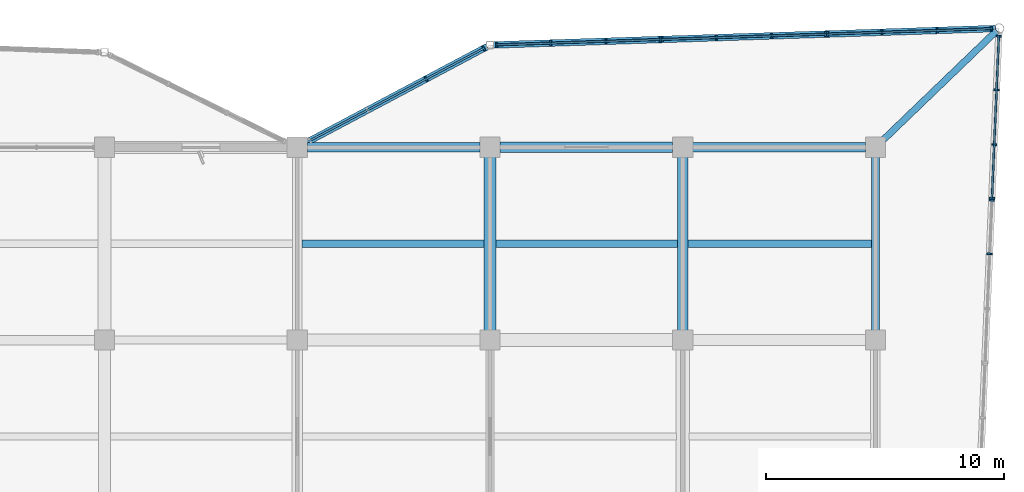
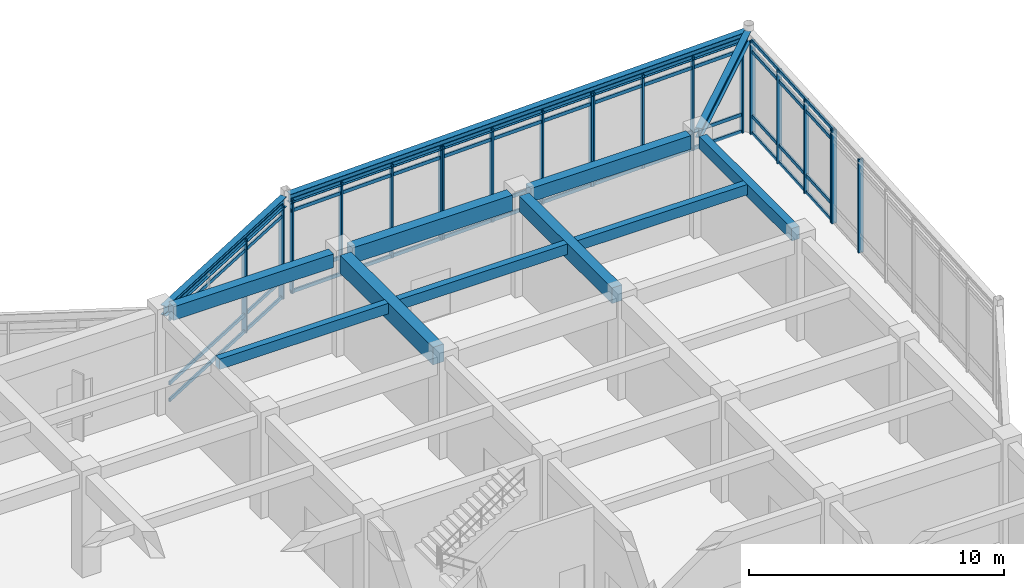
# One storey, part 48 of 99: 40 members, 12 beams, 6 elements without a shape of their own.
"""IFC4 building model written with IfcOpenShell, lengths in metres."""

import ifcopenshell
import ifcopenshell.guid

model = None  # the IFC model being written
_history = None  # IfcOwnerHistory: only IFC2X3 demands one
_inside = {}  # id of a spatial element -> (the spatial element, [elements in it])
_under = {}  # id of a project, library or spatial element -> (it, [spatial elements below it])
_declared = {}  # id of a project -> (the project, [libraries it declares])
_typed = {}  # id of a type object -> (the type object, [elements of that type])
_made_of = {}  # id of a material, layer set ... -> (it, [elements and type objects made of it])


def new_model(schema):
    """Start an empty IFC model of exactly this schema.

    Asked for "IFC4X3", IfcOpenShell would pick the latest addendum, in which some entities
    have other attributes; the version numbers below select the first issue.
    IFC2X3 requires an IfcOwnerHistory on every rooted entity: one is made here for all.
    """
    global model, _history
    if schema == "IFC4X3":
        model = ifcopenshell.file(schema_version=(4, 3, 0, 0))
    else:
        model = ifcopenshell.file(schema=schema)
    _inside.clear()
    _under.clear()
    _declared.clear()
    _typed.clear()
    _made_of.clear()
    _history = None
    if model.schema == "IFC2X3":
        org = make("IfcOrganization", Name="unknown")
        user = make(
            "IfcPersonAndOrganization",
            ThePerson=make("IfcPerson", FamilyName="unknown"),
            TheOrganization=org,
        )
        app = make(
            "IfcApplication",
            ApplicationDeveloper=org,
            Version="unknown",
            ApplicationFullName="unknown",
            ApplicationIdentifier="unknown",
        )
        _history = make(
            "IfcOwnerHistory",
            OwningUser=user,
            OwningApplication=app,
            ChangeAction="ADDED",
            CreationDate=0,
        )
    return model


def make(cls, **values):
    """One entity of the class cls with the attributes given. An attribute that is None is left unset."""
    return model.create_entity(
        cls, **{name: value for name, value in values.items() if value is not None}
    )


def rooted(cls, **values):
    """An entity with a GlobalId (a new one), such as an element, a storey or a relation."""
    return make(cls, GlobalId=ifcopenshell.guid.new(), OwnerHistory=_history, **values)


def si_unit(unit_type, name, prefix=None):
    """IfcSIUnit, for example si_unit("LENGTHUNIT", "METRE", prefix="MILLI")."""
    return make("IfcSIUnit", UnitType=unit_type, Prefix=prefix, Name=name)


def assignment(units):
    """IfcUnitAssignment: the units of a project."""
    return None if units is None else make("IfcUnitAssignment", Units=units)


def point(xyz):
    """IfcCartesianPoint."""
    return None if xyz is None else make("IfcCartesianPoint", Coordinates=xyz)


def direction(xyz):
    """IfcDirection."""
    return None if xyz is None else make("IfcDirection", DirectionRatios=xyz)


def frame(location, z_axis=None, x_axis=None):
    """IfcAxis2Placement3D, a coordinate frame: its origin and axes. An axis left out is left unset."""
    return make(
        "IfcAxis2Placement3D",
        Location=point(location),
        Axis=direction(z_axis),
        RefDirection=direction(x_axis),
    )


def frame_2d(location, x_axis=None):
    """IfcAxis2Placement2D, a coordinate frame in the plane: its origin and x axis."""
    return make(
        "IfcAxis2Placement2D", Location=point(location), RefDirection=direction(x_axis)
    )


def origin():
    """The frame at (0, 0, 0) with its axes left unset."""
    return frame((0.0, 0.0, 0.0))


def origin_2d():
    """The frame at (0, 0) in the plane with its x axis left unset."""
    return frame_2d((0.0, 0.0))


def place(relative_to, where):
    """IfcLocalPlacement: puts the frame where relative to a parent placement (None: the world)."""
    return make(
        "IfcLocalPlacement", PlacementRelTo=relative_to, RelativePlacement=where
    )


def context(
    kind, dimensions, precision=None, world=None, true_north=None, identifier=None
):
    """IfcGeometricRepresentationContext, for example the 3D "Model" context."""
    return make(
        "IfcGeometricRepresentationContext",
        ContextIdentifier=identifier,
        ContextType=kind,
        CoordinateSpaceDimension=dimensions,
        Precision=precision,
        WorldCoordinateSystem=world,
        TrueNorth=true_north,
    )


def subcontext(parent, identifier, kind, view, scale=None):
    """IfcGeometricRepresentationSubContext, for example "Body" below "Model"."""
    return make(
        "IfcGeometricRepresentationSubContext",
        ContextIdentifier=identifier,
        ContextType=kind,
        ParentContext=parent,
        TargetScale=scale,
        TargetView=view,
    )


def project(units=None, contexts=None):
    """IfcProject with its units and contexts."""
    return rooted(
        "IfcProject",
        Name="project",
        RepresentationContexts=contexts,
        UnitsInContext=assignment(units),
    )


def spatial(cls, under=None, at=None, **own):
    """A site, building, storey or space (cls), placed at a placement, below another one or the project."""
    s = rooted(cls, ObjectPlacement=at, **own)
    if under is not None:
        _under.setdefault(under.id(), (under, []))[1].append(s)
    return s


def profile(cls, at=None, kind="AREA", **sizes):
    """A parametric profile (cls). Its sizes go by their IFC names, for example OverallWidth=200.0."""
    return make(cls, ProfileType=kind, Position=at, **sizes)


def rectangle(**sizes):
    """IfcRectangleProfileDef."""
    return profile("IfcRectangleProfileDef", **sizes)


def i_section(**sizes):
    """IfcIShapeProfileDef."""
    return profile("IfcIShapeProfileDef", **sizes)


def extrude(swept, where, along, depth):
    """IfcExtrudedAreaSolid: the profile swept, set in the frame where, extruded along a direction by depth."""
    return make(
        "IfcExtrudedAreaSolid",
        SweptArea=swept,
        Position=where,
        ExtrudedDirection=direction(along),
        Depth=depth,
    )


def shape(context_of_items, identifier, shape_type, items):
    """IfcShapeRepresentation: the items that make up one representation, for example the "Body"."""
    return make(
        "IfcShapeRepresentation",
        ContextOfItems=context_of_items,
        RepresentationIdentifier=identifier,
        RepresentationType=shape_type,
        Items=items,
    )


def material(Name=None, Category=None):
    """IfcMaterial."""
    return make("IfcMaterial", Name=Name, Category=Category)


def layer(
    of_material, thickness, ventilated=None, Name=None, Category=None, Priority=None
):
    """IfcMaterialLayer: one layer of a wall or slab, of a material (None: an air gap)."""
    return make(
        "IfcMaterialLayer",
        Material=of_material,
        LayerThickness=thickness,
        IsVentilated=ventilated,
        Name=Name,
        Category=Category,
        Priority=Priority,
    )


def layer_set(layers, Name=None):
    """IfcMaterialLayerSet."""
    return make("IfcMaterialLayerSet", MaterialLayers=layers, LayerSetName=Name)


def material_profile(
    of_material, cross_section, Name=None, Category=None, Priority=None
):
    """IfcMaterialProfile: a cross section and its material."""
    return make(
        "IfcMaterialProfile",
        Name=Name,
        Material=of_material,
        Profile=cross_section,
        Priority=Priority,
        Category=Category,
    )


def profile_set(profiles, Name=None, composite=None):
    """IfcMaterialProfileSet."""
    return make(
        "IfcMaterialProfileSet",
        Name=Name,
        MaterialProfiles=profiles,
        CompositeProfile=composite,
    )


def made_of(thing, what):
    """Note that an element or type object is made of a material, layer set ...; save() writes the relation."""
    if what is not None:
        _made_of.setdefault(what.id(), (what, []))[1].append(thing)
    return thing


def type_object(cls, material=None, **own):
    """A type object (cls), such as IfcWallType, which elements share."""
    return made_of(rooted(cls, **own), material)


def element(
    cls,
    number,
    at=None,
    inside=None,
    cuts=None,
    type_object=None,
    material=None,
    context=None,
    identifier="Body",
    shape_type=None,
    held_by="IfcProductDefinitionShape",
    body=None,
    shapes=None,
    **own,
):
    """One element of the class cls, such as IfcWall. Its Tag is "e" and its number.

    at: its placement. inside: the storey or other place that contains it. cuts: it is an
    opening in that element (IfcRelVoidsElement). A single representation is given by context,
    identifier, shape_type and body (its items); several are given by shapes. held_by: the class
    of the entity that holds the representations. save() writes the other relations.
    """
    e = rooted(cls, Tag="e%d" % number, ObjectPlacement=at, **own)
    if body is not None:
        shapes = [shape(context, identifier, shape_type, body)]
    if shapes is not None:
        e.Representation = make(held_by, Representations=shapes)
    if inside is not None:
        _inside.setdefault(inside.id(), (inside, []))[1].append(e)
    if cuts is not None:
        rooted(
            "IfcRelVoidsElement", RelatingBuildingElement=cuts, RelatedOpeningElement=e
        )
    if type_object is not None:
        _typed.setdefault(type_object.id(), (type_object, []))[1].append(e)
    return made_of(e, material)


def aggregate(whole, parts):
    """IfcRelAggregates: a whole, such as a stair, and the parts it consists of."""
    return rooted("IfcRelAggregates", RelatingObject=whole, RelatedObjects=parts)


def save(model, path):
    """Write the relations noted so far, then the file.

    IfcRelAggregates (storeys below a building ...), IfcRelContainedInSpatialStructure (elements
    in a storey), IfcRelDefinesByType, IfcRelAssociatesMaterial and IfcRelDeclares: one each for
    every whole, place, type object, material and project.
    """
    for whole, parts in _under.values():
        aggregate(whole, parts)
    for where, things in _inside.values():
        rooted(
            "IfcRelContainedInSpatialStructure",
            RelatedElements=things,
            RelatingStructure=where,
        )
    for kind, things in _typed.values():
        rooted("IfcRelDefinesByType", RelatedObjects=things, RelatingType=kind)
    for what, things in _made_of.values():
        rooted("IfcRelAssociatesMaterial", RelatedObjects=things, RelatingMaterial=what)
    for by, libraries in _declared.values():
        rooted("IfcRelDeclares", RelatingContext=by, RelatedDefinitions=libraries)
    model.write(path)


model = new_model("IFC4")

# Units and contexts
model_context = context("Model", 3, precision=1e-05, world=origin(), true_north=direction((0.0, 1.0)))
body_context = subcontext(model_context, "Body", "Model", "MODEL_VIEW")
ifc_project = project(units=[si_unit("LENGTHUNIT", "METRE"), si_unit("AREAUNIT", "SQUARE_METRE"), si_unit("VOLUMEUNIT", "CUBIC_METRE"), si_unit("PLANEANGLEUNIT", "RADIAN"), si_unit("MASSUNIT", "GRAM", prefix="KILO")], contexts=[model_context])

# Site, building, storey
site_placement = place(None, origin())
site = spatial("IfcSite", under=ifc_project, at=site_placement, CompositionType="ELEMENT")
building_placement = place(site_placement, origin())
building = spatial("IfcBuilding", under=site, at=building_placement, Name="Vaudrelin Polytechnic", CompositionType="ELEMENT")
storey_placement = place(building_placement, origin())
storey = spatial("IfcBuildingStorey", under=building, at=storey_placement, Name="L00", CompositionType="ELEMENT", Elevation=0.0)

# Beams
ifc_material_1 = material(Name="Concrete 40 MPa", Category="concrete")
ifc_material_profile_1 = material_profile(ifc_material_1, rectangle(XDim=0.35009765625, YDim=0.60009765625, at=origin_2d()), Name="RC350x600")
ifc_profile_set_1 = profile_set([ifc_material_profile_1], Name="Concrete 40 MPa")
beam_type_1 = type_object("IfcBeamType", Name="BM-BM-RC3560", PredefinedType="BEAM", material=ifc_profile_set_1)
beam_1_placement = place(storey_placement, frame((170.10009765625, 113.81005859375, 4.52001953125), z_axis=(0.0, 1.0, 0.0), x_axis=(-1.0, 0.0, 0.0)))
element("IfcBeam", 1, at=beam_1_placement, inside=storey, type_object=beam_type_1, Name="L00 Y-beam 22-15", PredefinedType="BEAM", context=body_context, shape_type="SweptSolid", body=[
    extrude(rectangle(XDim=0.35009765625, YDim=0.60009765625, at=origin_2d()), origin(), (0.0, 0.0, 1.0), 7.280029296875),
])
ifc_material_profile_2 = material_profile(ifc_material_1, rectangle(XDim=0.39990234375, YDim=0.64990234375, at=origin_2d()), Name="RC400x650")
ifc_profile_set_2 = profile_set([ifc_material_profile_2], Name="Concrete 40 MPa")
beam_type_2 = type_object("IfcBeamType", Name="BM-BM-RC4065", PredefinedType="BEAM", material=ifc_profile_set_2)
beam_2_placement = place(storey_placement, frame((162.4208984375, 121.5, 4.4951171875), z_axis=(1.0, 0.0, 0.0), x_axis=(0.0, 1.0, 0.0)))
element("IfcBeam", 2, at=beam_2_placement, inside=storey, type_object=beam_type_2, Name="L00 X-beam 21-16", PredefinedType="BEAM", context=body_context, shape_type="SweptSolid", body=[
    extrude(rectangle(XDim=0.39990234375, YDim=0.64990234375, at=origin_2d()), origin(), (0.0, 0.0, 1.0), 7.258056640625),
])
ifc_material_profile_3 = material_profile(ifc_material_1, rectangle(XDim=0.449951171875, YDim=0.75, at=origin_2d()), Name="RC450x750")
ifc_profile_set_3 = profile_set([ifc_material_profile_3], Name="Concrete 40 MPa")
beam_type_3 = type_object("IfcBeamType", Name="BM-BM-RC4575", PredefinedType="BEAM", material=ifc_profile_set_3)
beam_3_placement = place(storey_placement, frame((162.0, 113.81005859375, 4.445068359375), z_axis=(0.0, 1.0, 0.0), x_axis=(-1.0, 0.0, 0.0)))
element("IfcBeam", 3, at=beam_3_placement, inside=storey, type_object=beam_type_3, Name="L00 Y-beam 21-15", PredefinedType="BEAM", context=body_context, shape_type="SweptSolid", body=[
    extrude(rectangle(XDim=0.449951171875, YDim=0.75, at=origin_2d()), origin(), (0.0, 0.0, 1.0), 7.280029296875),
])
beam_4_placement = place(storey_placement, frame((154.321044921875, 121.5, 4.445068359375), z_axis=(1.0, 0.0, 0.0), x_axis=(0.0, 1.0, 0.0)))
element("IfcBeam", 4, at=beam_4_placement, inside=storey, type_object=beam_type_3, Name="L00 X-beam 20-16", PredefinedType="BEAM", context=body_context, shape_type="SweptSolid", body=[
    extrude(rectangle(XDim=0.449951171875, YDim=0.75, at=origin_2d()), origin(), (0.0, 0.0, 1.0), 7.258056640625),
])
ifc_material_profile_4 = material_profile(ifc_material_1, rectangle(XDim=0.5, YDim=0.85009765625, at=origin_2d()), Name="RC500x850")
ifc_profile_set_4 = profile_set([ifc_material_profile_4], Name="Concrete 40 MPa")
beam_type_4 = type_object("IfcBeamType", Name="BM-BM-RC5085", PredefinedType="BEAM", material=ifc_profile_set_4)
beam_5_placement = place(storey_placement, frame((153.89990234375, 113.81005859375, 4.39501953125), z_axis=(0.0, 1.0, 0.0), x_axis=(-1.0, 0.0, 0.0)))
element("IfcBeam", 5, at=beam_5_placement, inside=storey, type_object=beam_type_4, Name="L00 Y-beam 20-15", PredefinedType="BEAM", context=body_context, shape_type="SweptSolid", body=[
    extrude(rectangle(XDim=0.5, YDim=0.85009765625, at=origin_2d()), origin(), (0.0, 0.0, 1.0), 7.280029296875),
])
ifc_material_2 = material(Name="Steel CSA G40.21 350W", Category="steel")
ifc_material_profile_5 = material_profile(ifc_material_2, i_section(OverallWidth=0.280029296875, OverallDepth=0.462890625, WebThickness=0.0107421875, FlangeThickness=0.017333984375, FilletRadius=0.01806640625, at=origin_2d()), Name="W460x113")
ifc_profile_set_5 = profile_set([ifc_material_profile_5], Name="Steel CSA G40.21 350W")
beam_type_5 = type_object("IfcBeamType", Name="BM-BM-W460H", PredefinedType="BEAM", material=ifc_profile_set_5)
beam_6_placement = place(storey_placement, frame((145.923583984375, 121.565673828125, 4.58837890625), z_axis=(0.883259671752, 0.468884156542, 0.0), x_axis=(-0.468884156542, 0.883259671752, 0.0)))
element("IfcBeam", 6, at=beam_6_placement, inside=storey, type_object=beam_type_5, Name="Sculptural edge beam L00 NE_BM_1", PredefinedType="BEAM", context=body_context, shape_type="SweptSolid", body=[
    extrude(i_section(OverallWidth=0.280029296875, OverallDepth=0.462890625, WebThickness=0.0107421875, FlangeThickness=0.017333984375, FilletRadius=0.01806640625, at=origin_2d()), origin(), (0.0, 0.0, 1.0), 8.890625),
])
beam_7_placement = place(storey_placement, frame((154.039794921875, 125.8046875, 4.58837890625), z_axis=(0.999465724625, 0.032684328046, 0.0), x_axis=(-0.032684328046, 0.999465724625, 0.0)))
element("IfcBeam", 7, at=beam_7_placement, inside=storey, type_object=beam_type_5, Name="Sculptural edge beam L00 NE_BM_2", PredefinedType="BEAM", context=body_context, shape_type="SweptSolid", body=[
    extrude(i_section(OverallWidth=0.280029296875, OverallDepth=0.462890625, WebThickness=0.0107421875, FlangeThickness=0.017333984375, FilletRadius=0.01806640625, at=origin_2d()), origin(), (0.0, 0.0, 1.0), 21.131591796875),
])
beam_8_placement = place(storey_placement, frame((170.200927734375, 121.596923828125, 4.58837890625), z_axis=(0.720825622612, 0.69311645615, 0.0), x_axis=(-0.69311645615, 0.720825622612, 0.0)))
element("IfcBeam", 8, at=beam_8_placement, inside=storey, type_object=beam_type_5, Name="Sculptural edge beam L00 NE_BM_5", PredefinedType="BEAM", context=body_context, shape_type="SweptSolid", body=[
    extrude(i_section(OverallWidth=0.280029296875, OverallDepth=0.462890625, WebThickness=0.0107421875, FlangeThickness=0.017333984375, FilletRadius=0.01806640625, at=origin_2d()), origin(), (0.0, 0.0, 1.0), 6.93408203125),
])
ifc_material_profile_6 = material_profile(ifc_material_1, rectangle(XDim=0.300048828125, YDim=0.5, at=origin_2d()), Name="RC300x500")
ifc_profile_set_6 = profile_set([ifc_material_profile_6], Name="Concrete 40 MPa")
beam_type_6 = type_object("IfcBeamType", Name="BM-JS-RC3050", PredefinedType="JOIST", material=ifc_profile_set_6)
beam_9_placement = place(storey_placement, frame((145.99609375, 117.449951171875, 4.570068359375), z_axis=(1.0, 0.0, 0.0), x_axis=(0.0, 1.0, 0.0)))
element("IfcBeam", 9, at=beam_9_placement, inside=storey, type_object=beam_type_6, Name="L00 floor joist 19-15", PredefinedType="JOIST", context=body_context, shape_type="SweptSolid", body=[
    extrude(rectangle(XDim=0.300048828125, YDim=0.5, at=origin_2d()), origin(), (0.0, 0.0, 1.0), 7.657958984375),
])
beam_10_placement = place(storey_placement, frame((154.14599609375, 117.449951171875, 4.570068359375), z_axis=(1.0, 0.0, 0.0), x_axis=(0.0, 1.0, 0.0)))
element("IfcBeam", 10, at=beam_10_placement, inside=storey, type_object=beam_type_6, Name="L00 floor joist 20-15", PredefinedType="JOIST", context=body_context, shape_type="SweptSolid", body=[
    extrude(rectangle(XDim=0.300048828125, YDim=0.5, at=origin_2d()), origin(), (0.0, 0.0, 1.0), 7.633056640625),
])
beam_11_placement = place(storey_placement, frame((162.220947265625, 117.449951171875, 4.570068359375), z_axis=(1.0, 0.0, 0.0), x_axis=(0.0, 1.0, 0.0)))
element("IfcBeam", 11, at=beam_11_placement, inside=storey, type_object=beam_type_6, Name="L00 floor joist 21-15", PredefinedType="JOIST", context=body_context, shape_type="SweptSolid", body=[
    extrude(rectangle(XDim=0.300048828125, YDim=0.5, at=origin_2d()), origin(), (0.0, 0.0, 1.0), 7.7080078125),
])
ifc_material_profile_7 = material_profile(ifc_material_1, rectangle(XDim=0.39990234375, YDim=0.64990234375, at=origin_2d()), Name="RC400x650")
ifc_profile_set_7 = profile_set([ifc_material_profile_7], Name="Concrete 40 MPa")
beam_type_7 = type_object("IfcBeamType", Name="BM-SP-RC4065", PredefinedType="SPANDREL", material=ifc_profile_set_7)
beam_12_placement = place(storey_placement, frame((146.220947265625, 121.5, 4.4951171875), z_axis=(1.0, 0.0, 0.0), x_axis=(0.0, 1.0, 0.0)))
element("IfcBeam", 12, at=beam_12_placement, inside=storey, type_object=beam_type_7, Name="L00 X-beam 19-16", PredefinedType="SPANDREL", context=body_context, shape_type="SweptSolid", body=[
    extrude(rectangle(XDim=0.39990234375, YDim=0.64990234375, at=origin_2d()), origin(), (0.0, 0.0, 1.0), 7.258056640625),
])

# Curtain wall, members
ifc_material_3 = material(Name="Thermally broken anodised aluminium AA 6063-T6 and low-e triple glazing", Category="aluminium")
ifc_layer = layer(ifc_material_3, 0.199951171875)
ifc_layer_set = layer_set([ifc_layer], Name="Thermally broken anodised aluminium AA 6063-T6 and low-e triple glazing")
curtain_wall_type = type_object("IfcCurtainWallType", Name="CW-CW-LAB", PredefinedType="USERDEFINED", material=ifc_layer_set)
curtain_wall_1_placement = place(storey_placement, origin())
curtain_wall_1 = element("IfcCurtainWall", 13, at=curtain_wall_1_placement, inside=storey, type_object=curtain_wall_type, Name="Curtain wall L00 NEP_1_0", ObjectType="CURTAIN WALL", PredefinedType="USERDEFINED")
ifc_material_4 = material(Name="Anodised aluminium AA 6063-T6", Category="aluminium")
ifc_material_profile_8 = material_profile(ifc_material_4, rectangle(XDim=0.074951171875, YDim=0.219970703125, at=origin_2d()), Name="CWM-75x220")
ifc_profile_set_8 = profile_set([ifc_material_profile_8], Name="Anodised aluminium AA 6063-T6")
member_type_1 = type_object("IfcMemberType", Name="MEM-CWM-220", PredefinedType="MULLION", material=ifc_profile_set_8)
member_1_placement = place(storey_placement, frame((151.215087890625, 124.37451171875, 0.0), z_axis=(0.0, 0.0, 1.0), x_axis=(0.883256373642, 0.468890369298, 0.0)))
member_1 = element("IfcMember", 14, at=member_1_placement, type_object=member_type_1, Name="NEP_1_0 mullion 3", PredefinedType="MULLION", context=body_context, shape_type="SweptSolid", body=[
    extrude(rectangle(XDim=0.074951171875, YDim=0.219970703125, at=origin_2d()), origin(), (0.0, 0.0, 1.0), 4.489990234375),
])
member_2_placement = place(storey_placement, frame((153.63720703125, 125.660400390625, 0.0), z_axis=(0.0, 0.0, 1.0), x_axis=(0.883256373642, 0.468890369298, 0.0)))
member_2 = element("IfcMember", 15, at=member_2_placement, type_object=member_type_1, Name="NEP_1_0 mullion 4", PredefinedType="MULLION", context=body_context, shape_type="SweptSolid", body=[
    extrude(rectangle(XDim=0.074951171875, YDim=0.219970703125, at=origin_2d()), origin(), (0.0, 0.0, 1.0), 4.489990234375),
])

curtain_wall_2_placement = place(storey_placement, origin())
curtain_wall_2 = element("IfcCurtainWall", 16, at=curtain_wall_2_placement, inside=storey, type_object=curtain_wall_type, Name="Curtain wall L00 NEP_2_0", ObjectType="CURTAIN WALL", PredefinedType="USERDEFINED")
member_3_placement = place(storey_placement, frame((154.177490234375, 125.80908203125, 0.0), z_axis=(0.0, 0.0, 1.0), x_axis=(0.999465454284, 0.032692593862, 0.0)))
member_3 = element("IfcMember", 17, at=member_3_placement, type_object=member_type_1, Name="NEP_2_0 mullion 1", PredefinedType="MULLION", context=body_context, shape_type="SweptSolid", body=[
    extrude(rectangle(XDim=0.074951171875, YDim=0.219970703125, at=origin_2d()), origin(), (0.0, 0.0, 1.0), 4.489990234375),
])
member_4_placement = place(storey_placement, frame((156.456787109375, 125.8837890625, 0.0), z_axis=(0.0, 0.0, 1.0), x_axis=(0.999465454284, 0.032692593862, 0.0)))
member_4 = element("IfcMember", 18, at=member_4_placement, type_object=member_type_1, Name="NEP_2_0 mullion 2", PredefinedType="MULLION", context=body_context, shape_type="SweptSolid", body=[
    extrude(rectangle(XDim=0.074951171875, YDim=0.219970703125, at=origin_2d()), origin(), (0.0, 0.0, 1.0), 4.489990234375),
])
member_5_placement = place(storey_placement, frame((158.776123046875, 125.95947265625, 0.0), z_axis=(0.0, 0.0, 1.0), x_axis=(0.999465454284, 0.032692593862, 0.0)))
member_5 = element("IfcMember", 19, at=member_5_placement, type_object=member_type_1, Name="NEP_2_0 mullion 3", PredefinedType="MULLION", context=body_context, shape_type="SweptSolid", body=[
    extrude(rectangle(XDim=0.074951171875, YDim=0.219970703125, at=origin_2d()), origin(), (0.0, 0.0, 1.0), 4.489990234375),
])
member_6_placement = place(storey_placement, frame((161.0556640625, 126.0341796875, 0.0), z_axis=(0.0, 0.0, 1.0), x_axis=(0.999465454284, 0.032692593862, 0.0)))
member_6 = element("IfcMember", 20, at=member_6_placement, type_object=member_type_1, Name="NEP_2_0 mullion 4", PredefinedType="MULLION", context=body_context, shape_type="SweptSolid", body=[
    extrude(rectangle(XDim=0.074951171875, YDim=0.219970703125, at=origin_2d()), origin(), (0.0, 0.0, 1.0), 4.489990234375),
])

curtain_wall_3_placement = place(storey_placement, origin())
curtain_wall_3 = element("IfcCurtainWall", 21, at=curtain_wall_3_placement, inside=storey, type_object=curtain_wall_type, Name="Curtain wall L00 NEP_2_1", ObjectType="CURTAIN WALL", PredefinedType="USERDEFINED")
member_7_placement = place(storey_placement, frame((161.135498046875, 126.03662109375, 0.0), z_axis=(0.0, 0.0, 1.0), x_axis=(0.999465454284, 0.032692593862, 0.0)))
member_7 = element("IfcMember", 22, at=member_7_placement, type_object=member_type_1, Name="NEP_2_1 mullion 1", PredefinedType="MULLION", context=body_context, shape_type="SweptSolid", body=[
    extrude(rectangle(XDim=0.074951171875, YDim=0.219970703125, at=origin_2d()), origin(), (0.0, 0.0, 1.0), 4.489990234375),
])
member_8_placement = place(storey_placement, frame((163.4150390625, 126.111328125, 0.0), z_axis=(0.0, 0.0, 1.0), x_axis=(0.999465454284, 0.032692593862, 0.0)))
member_8 = element("IfcMember", 23, at=member_8_placement, type_object=member_type_1, Name="NEP_2_1 mullion 2", PredefinedType="MULLION", context=body_context, shape_type="SweptSolid", body=[
    extrude(rectangle(XDim=0.074951171875, YDim=0.219970703125, at=origin_2d()), origin(), (0.0, 0.0, 1.0), 4.489990234375),
])
member_9_placement = place(storey_placement, frame((165.734375, 126.18701171875, 0.0), z_axis=(0.0, 0.0, 1.0), x_axis=(0.999465454284, 0.032692593862, 0.0)))
member_9 = element("IfcMember", 24, at=member_9_placement, type_object=member_type_1, Name="NEP_2_1 mullion 3", PredefinedType="MULLION", context=body_context, shape_type="SweptSolid", body=[
    extrude(rectangle(XDim=0.074951171875, YDim=0.219970703125, at=origin_2d()), origin(), (0.0, 0.0, 1.0), 4.489990234375),
])
member_10_placement = place(storey_placement, frame((168.013671875, 126.26171875, 0.0), z_axis=(0.0, 0.0, 1.0), x_axis=(0.999465454284, 0.032692593862, 0.0)))
member_10 = element("IfcMember", 25, at=member_10_placement, type_object=member_type_1, Name="NEP_2_1 mullion 4", PredefinedType="MULLION", context=body_context, shape_type="SweptSolid", body=[
    extrude(rectangle(XDim=0.074951171875, YDim=0.219970703125, at=origin_2d()), origin(), (0.0, 0.0, 1.0), 4.489990234375),
])

curtain_wall_4_placement = place(storey_placement, origin())
curtain_wall_4 = element("IfcCurtainWall", 26, at=curtain_wall_4_placement, inside=storey, type_object=curtain_wall_type, Name="Curtain wall L00 NEP_2_2", ObjectType="CURTAIN WALL", PredefinedType="USERDEFINED")
member_11_placement = place(storey_placement, frame((168.09375, 126.264404296875, 0.0), z_axis=(0.0, 0.0, 1.0), x_axis=(0.999465454284, 0.032692593862, 0.0)))
member_11 = element("IfcMember", 27, at=member_11_placement, type_object=member_type_1, Name="NEP_2_2 mullion 1", PredefinedType="MULLION", context=body_context, shape_type="SweptSolid", body=[
    extrude(rectangle(XDim=0.074951171875, YDim=0.219970703125, at=origin_2d()), origin(), (0.0, 0.0, 1.0), 4.489990234375),
])
member_12_placement = place(storey_placement, frame((170.373046875, 126.3388671875, 0.0), z_axis=(0.0, 0.0, 1.0), x_axis=(0.999465454284, 0.032692593862, 0.0)))
member_12 = element("IfcMember", 28, at=member_12_placement, type_object=member_type_1, Name="NEP_2_2 mullion 2", PredefinedType="MULLION", context=body_context, shape_type="SweptSolid", body=[
    extrude(rectangle(XDim=0.074951171875, YDim=0.219970703125, at=origin_2d()), origin(), (0.0, 0.0, 1.0), 4.489990234375),
])
member_13_placement = place(storey_placement, frame((172.6923828125, 126.414794921875, 0.0), z_axis=(0.0, 0.0, 1.0), x_axis=(0.999465454284, 0.032692593862, 0.0)))
member_13 = element("IfcMember", 29, at=member_13_placement, type_object=member_type_1, Name="NEP_2_2 mullion 3", PredefinedType="MULLION", context=body_context, shape_type="SweptSolid", body=[
    extrude(rectangle(XDim=0.074951171875, YDim=0.219970703125, at=origin_2d()), origin(), (0.0, 0.0, 1.0), 4.489990234375),
])
member_14_placement = place(storey_placement, frame((174.9716796875, 126.4892578125, 0.0), z_axis=(0.0, 0.0, 1.0), x_axis=(0.999465454284, 0.032692593862, 0.0)))
member_14 = element("IfcMember", 30, at=member_14_placement, type_object=member_type_1, Name="NEP_2_2 mullion 4", PredefinedType="MULLION", context=body_context, shape_type="SweptSolid", body=[
    extrude(rectangle(XDim=0.074951171875, YDim=0.219970703125, at=origin_2d()), origin(), (0.0, 0.0, 1.0), 4.489990234375),
])

curtain_wall_5_placement = place(storey_placement, origin())
curtain_wall_5 = element("IfcCurtainWall", 31, at=curtain_wall_5_placement, inside=storey, type_object=curtain_wall_type, Name="Curtain wall L00 NEP_3_0", ObjectType="CURTAIN WALL", PredefinedType="USERDEFINED")
member_15_placement = place(storey_placement, frame((175.2861328125, 126.171875, 0.0), z_axis=(0.0, 0.0, 1.0), x_axis=(-0.042419882824, -0.999099871655, 0.0)))
member_15 = element("IfcMember", 32, at=member_15_placement, type_object=member_type_1, Name="NEP_3_0 mullion 1", PredefinedType="MULLION", context=body_context, shape_type="SweptSolid", body=[
    extrude(rectangle(XDim=0.074951171875, YDim=0.219970703125, at=origin_2d()), origin(), (0.0, 0.0, 1.0), 4.489990234375),
])
member_16_placement = place(storey_placement, frame((175.190185546875, 123.914794921875, 0.0), z_axis=(0.0, 0.0, 1.0), x_axis=(-0.042419882824, -0.999099871655, 0.0)))
member_16 = element("IfcMember", 33, at=member_16_placement, type_object=member_type_1, Name="NEP_3_0 mullion 2", PredefinedType="MULLION", context=body_context, shape_type="SweptSolid", body=[
    extrude(rectangle(XDim=0.074951171875, YDim=0.219970703125, at=origin_2d()), origin(), (0.0, 0.0, 1.0), 4.489990234375),
])
member_17_placement = place(storey_placement, frame((175.0927734375, 121.61767578125, 0.0), z_axis=(0.0, 0.0, 1.0), x_axis=(-0.042419882824, -0.999099871655, 0.0)))
member_17 = element("IfcMember", 34, at=member_17_placement, type_object=member_type_1, Name="NEP_3_0 mullion 3", PredefinedType="MULLION", context=body_context, shape_type="SweptSolid", body=[
    extrude(rectangle(XDim=0.074951171875, YDim=0.219970703125, at=origin_2d()), origin(), (0.0, 0.0, 1.0), 4.489990234375),
])
member_18_placement = place(storey_placement, frame((174.996826171875, 119.3603515625, 0.0), z_axis=(0.0, 0.0, 1.0), x_axis=(-0.042419882824, -0.999099871655, 0.0)))
member_18 = element("IfcMember", 35, at=member_18_placement, type_object=member_type_1, Name="NEP_3_0 mullion 4", PredefinedType="MULLION", context=body_context, shape_type="SweptSolid", body=[
    extrude(rectangle(XDim=0.074951171875, YDim=0.219970703125, at=origin_2d()), origin(), (0.0, 0.0, 1.0), 4.489990234375),
])

curtain_wall_6_placement = place(storey_placement, origin())
curtain_wall_6 = element("IfcCurtainWall", 36, at=curtain_wall_6_placement, inside=storey, type_object=curtain_wall_type, Name="Curtain wall L00 NEP_3_1", ObjectType="CURTAIN WALL", PredefinedType="USERDEFINED")
member_19_placement = place(storey_placement, frame((174.993408203125, 119.280517578125, 0.0), z_axis=(0.0, 0.0, 1.0), x_axis=(-0.042405411318, -0.999100485983, 0.0)))
member_19 = element("IfcMember", 37, at=member_19_placement, type_object=member_type_1, Name="NEP_3_1 mullion 1", PredefinedType="MULLION", context=body_context, shape_type="SweptSolid", body=[
    extrude(rectangle(XDim=0.074951171875, YDim=0.219970703125, at=origin_2d()), origin(), (0.0, 0.0, 1.0), 4.489990234375),
])
member_20_placement = place(storey_placement, frame((174.897705078125, 117.023193359375, 0.0), z_axis=(0.0, 0.0, 1.0), x_axis=(-0.042405411318, -0.999100485983, 0.0)))
member_20 = element("IfcMember", 38, at=member_20_placement, type_object=member_type_1, Name="NEP_3_1 mullion 2", PredefinedType="MULLION", context=body_context, shape_type="SweptSolid", body=[
    extrude(rectangle(XDim=0.074951171875, YDim=0.219970703125, at=origin_2d()), origin(), (0.0, 0.0, 1.0), 4.489990234375),
])
aggregate(curtain_wall_6, [member_19, member_20])

# Member
ifc_material_profile_9 = material_profile(ifc_material_4, rectangle(XDim=0.074951171875, YDim=0.1650390625, at=origin_2d()), Name="CWT-75x165")
ifc_profile_set_9 = profile_set([ifc_material_profile_9], Name="Anodised aluminium AA 6063-T6")
member_type_2 = type_object("IfcMemberType", Name="MEM-CWT-165", PredefinedType="USERDEFINED", material=ifc_profile_set_9)
member_21_placement = place(storey_placement, frame((146.300048828125, 121.765380859375, 0.050048828125), z_axis=(0.883250881543, 0.468900714707, 0.0), x_axis=(-0.468900714707, 0.883250881543, 0.0)))
member_21 = element("IfcMember", 39, at=member_21_placement, type_object=member_type_2, Name="NEP_1_0 transom 1", ObjectType="TRANSOM", PredefinedType="USERDEFINED", context=body_context, shape_type="SweptSolid", body=[
    extrude(rectangle(XDim=0.074951171875, YDim=0.1650390625, at=origin_2d()), origin(), (0.0, 0.0, 1.0), 8.3466796875),
])

member_22_placement = place(storey_placement, frame((146.300048828125, 121.765380859375, 0.85009765625), z_axis=(0.883250881543, 0.468900714707, 0.0), x_axis=(-0.468900714707, 0.883250881543, 0.0)))
member_22 = element("IfcMember", 40, at=member_22_placement, type_object=member_type_2, Name="NEP_1_0 transom 2", ObjectType="TRANSOM", PredefinedType="USERDEFINED", context=body_context, shape_type="SweptSolid", body=[
    extrude(rectangle(XDim=0.074951171875, YDim=0.1650390625, at=origin_2d()), origin(), (0.0, 0.0, 1.0), 8.3466796875),
])

member_23_placement = place(storey_placement, frame((146.300048828125, 121.765380859375, 3.93994140625), z_axis=(0.883250881543, 0.468900714707, 0.0), x_axis=(-0.468900714707, 0.883250881543, 0.0)))
member_23 = element("IfcMember", 41, at=member_23_placement, type_object=member_type_2, Name="NEP_1_0 transom 3", ObjectType="TRANSOM", PredefinedType="USERDEFINED", context=body_context, shape_type="SweptSolid", body=[
    extrude(rectangle(XDim=0.074951171875, YDim=0.1650390625, at=origin_2d()), origin(), (0.0, 0.0, 1.0), 8.3466796875),
])

member_24_placement = place(storey_placement, frame((146.300048828125, 121.765380859375, 4.43994140625), z_axis=(0.883250881543, 0.468900714707, 0.0), x_axis=(-0.468900714707, 0.883250881543, 0.0)))
member_24 = element("IfcMember", 42, at=member_24_placement, type_object=member_type_2, Name="NEP_1_0 transom 4", ObjectType="TRANSOM", PredefinedType="USERDEFINED", context=body_context, shape_type="SweptSolid", body=[
    extrude(rectangle(XDim=0.074951171875, YDim=0.1650390625, at=origin_2d()), origin(), (0.0, 0.0, 1.0), 8.3466796875),
])

aggregate(curtain_wall_1, [member_1, member_2, member_21, member_22, member_23, member_24])

member_25_placement = place(storey_placement, frame((154.137451171875, 125.807861328125, 0.050048828125), z_axis=(0.999465763569, 0.032683137141, 0.0), x_axis=(-0.032683137141, 0.999465763569, 0.0)))
member_25 = element("IfcMember", 43, at=member_25_placement, type_object=member_type_2, Name="NEP_2_0 transom 1", ObjectType="TRANSOM", PredefinedType="USERDEFINED", context=body_context, shape_type="SweptSolid", body=[
    extrude(rectangle(XDim=0.074951171875, YDim=0.1650390625, at=origin_2d()), origin(), (0.0, 0.0, 1.0), 6.9619140625),
])

member_26_placement = place(storey_placement, frame((154.137451171875, 125.807861328125, 0.85009765625), z_axis=(0.999465763569, 0.032683137141, 0.0), x_axis=(-0.032683137141, 0.999465763569, 0.0)))
member_26 = element("IfcMember", 44, at=member_26_placement, type_object=member_type_2, Name="NEP_2_0 transom 2", ObjectType="TRANSOM", PredefinedType="USERDEFINED", context=body_context, shape_type="SweptSolid", body=[
    extrude(rectangle(XDim=0.074951171875, YDim=0.1650390625, at=origin_2d()), origin(), (0.0, 0.0, 1.0), 6.9619140625),
])

member_27_placement = place(storey_placement, frame((154.137451171875, 125.807861328125, 3.93994140625), z_axis=(0.999465763569, 0.032683137141, 0.0), x_axis=(-0.032683137141, 0.999465763569, 0.0)))
member_27 = element("IfcMember", 45, at=member_27_placement, type_object=member_type_2, Name="NEP_2_0 transom 3", ObjectType="TRANSOM", PredefinedType="USERDEFINED", context=body_context, shape_type="SweptSolid", body=[
    extrude(rectangle(XDim=0.074951171875, YDim=0.1650390625, at=origin_2d()), origin(), (0.0, 0.0, 1.0), 6.9619140625),
])

member_28_placement = place(storey_placement, frame((154.137451171875, 125.807861328125, 4.43994140625), z_axis=(0.999465763569, 0.032683137141, 0.0), x_axis=(-0.032683137141, 0.999465763569, 0.0)))
member_28 = element("IfcMember", 46, at=member_28_placement, type_object=member_type_2, Name="NEP_2_0 transom 4", ObjectType="TRANSOM", PredefinedType="USERDEFINED", context=body_context, shape_type="SweptSolid", body=[
    extrude(rectangle(XDim=0.074951171875, YDim=0.1650390625, at=origin_2d()), origin(), (0.0, 0.0, 1.0), 6.9619140625),
])

aggregate(curtain_wall_2, [member_3, member_4, member_5, member_6, member_25, member_26, member_27, member_28])

member_29_placement = place(storey_placement, frame((161.095703125, 126.035400390625, 0.050048828125), z_axis=(0.999465726108, 0.032684282692, 0.0), x_axis=(-0.032684282692, 0.999465726108, 0.0)))
member_29 = element("IfcMember", 47, at=member_29_placement, type_object=member_type_2, Name="NEP_2_1 transom 1", ObjectType="TRANSOM", PredefinedType="USERDEFINED", context=body_context, shape_type="SweptSolid", body=[
    extrude(rectangle(XDim=0.074951171875, YDim=0.1650390625, at=origin_2d()), origin(), (0.0, 0.0, 1.0), 6.961669921875),
])

member_30_placement = place(storey_placement, frame((161.095703125, 126.035400390625, 0.85009765625), z_axis=(0.999465726108, 0.032684282692, 0.0), x_axis=(-0.032684282692, 0.999465726108, 0.0)))
member_30 = element("IfcMember", 48, at=member_30_placement, type_object=member_type_2, Name="NEP_2_1 transom 2", ObjectType="TRANSOM", PredefinedType="USERDEFINED", context=body_context, shape_type="SweptSolid", body=[
    extrude(rectangle(XDim=0.074951171875, YDim=0.1650390625, at=origin_2d()), origin(), (0.0, 0.0, 1.0), 6.961669921875),
])

member_31_placement = place(storey_placement, frame((161.095703125, 126.035400390625, 3.93994140625), z_axis=(0.999465726108, 0.032684282692, 0.0), x_axis=(-0.032684282692, 0.999465726108, 0.0)))
member_31 = element("IfcMember", 49, at=member_31_placement, type_object=member_type_2, Name="NEP_2_1 transom 3", ObjectType="TRANSOM", PredefinedType="USERDEFINED", context=body_context, shape_type="SweptSolid", body=[
    extrude(rectangle(XDim=0.074951171875, YDim=0.1650390625, at=origin_2d()), origin(), (0.0, 0.0, 1.0), 6.961669921875),
])

member_32_placement = place(storey_placement, frame((161.095703125, 126.035400390625, 4.43994140625), z_axis=(0.999465726108, 0.032684282692, 0.0), x_axis=(-0.032684282692, 0.999465726108, 0.0)))
member_32 = element("IfcMember", 50, at=member_32_placement, type_object=member_type_2, Name="NEP_2_1 transom 4", ObjectType="TRANSOM", PredefinedType="USERDEFINED", context=body_context, shape_type="SweptSolid", body=[
    extrude(rectangle(XDim=0.074951171875, YDim=0.1650390625, at=origin_2d()), origin(), (0.0, 0.0, 1.0), 6.961669921875),
])

aggregate(curtain_wall_3, [member_7, member_8, member_9, member_10, member_29, member_30, member_31, member_32])

member_33_placement = place(storey_placement, frame((168.0537109375, 126.262939453125, 0.050048828125), z_axis=(0.999465726108, 0.032684282692, 0.0), x_axis=(-0.032684282692, 0.999465726108, 0.0)))
member_33 = element("IfcMember", 51, at=member_33_placement, type_object=member_type_2, Name="NEP_2_2 transom 1", ObjectType="TRANSOM", PredefinedType="USERDEFINED", context=body_context, shape_type="SweptSolid", body=[
    extrude(rectangle(XDim=0.074951171875, YDim=0.1650390625, at=origin_2d()), origin(), (0.0, 0.0, 1.0), 6.961669921875),
])

member_34_placement = place(storey_placement, frame((168.0537109375, 126.262939453125, 0.85009765625), z_axis=(0.999465726108, 0.032684282692, 0.0), x_axis=(-0.032684282692, 0.999465726108, 0.0)))
member_34 = element("IfcMember", 52, at=member_34_placement, type_object=member_type_2, Name="NEP_2_2 transom 2", ObjectType="TRANSOM", PredefinedType="USERDEFINED", context=body_context, shape_type="SweptSolid", body=[
    extrude(rectangle(XDim=0.074951171875, YDim=0.1650390625, at=origin_2d()), origin(), (0.0, 0.0, 1.0), 6.961669921875),
])

member_35_placement = place(storey_placement, frame((168.0537109375, 126.262939453125, 3.93994140625), z_axis=(0.999465726108, 0.032684282692, 0.0), x_axis=(-0.032684282692, 0.999465726108, 0.0)))
member_35 = element("IfcMember", 53, at=member_35_placement, type_object=member_type_2, Name="NEP_2_2 transom 3", ObjectType="TRANSOM", PredefinedType="USERDEFINED", context=body_context, shape_type="SweptSolid", body=[
    extrude(rectangle(XDim=0.074951171875, YDim=0.1650390625, at=origin_2d()), origin(), (0.0, 0.0, 1.0), 6.961669921875),
])

member_36_placement = place(storey_placement, frame((168.0537109375, 126.262939453125, 4.43994140625), z_axis=(0.999465726108, 0.032684282692, 0.0), x_axis=(-0.032684282692, 0.999465726108, 0.0)))
member_36 = element("IfcMember", 54, at=member_36_placement, type_object=member_type_2, Name="NEP_2_2 transom 4", ObjectType="TRANSOM", PredefinedType="USERDEFINED", context=body_context, shape_type="SweptSolid", body=[
    extrude(rectangle(XDim=0.074951171875, YDim=0.1650390625, at=origin_2d()), origin(), (0.0, 0.0, 1.0), 6.961669921875),
])

aggregate(curtain_wall_4, [member_11, member_12, member_13, member_14, member_33, member_34, member_35, member_36])

member_37_placement = place(storey_placement, frame((175.287841796875, 126.2119140625, 0.050048828125), z_axis=(-0.042437291332, -0.999099132371, 0.0), x_axis=(0.999099132371, -0.042437291332, 0.0)))
member_37 = element("IfcMember", 55, at=member_37_placement, type_object=member_type_2, Name="NEP_3_0 transom 1", ObjectType="TRANSOM", PredefinedType="USERDEFINED", context=body_context, shape_type="SweptSolid", body=[
    extrude(rectangle(XDim=0.074951171875, YDim=0.1650390625, at=origin_2d()), origin(), (0.0, 0.0, 1.0), 6.897705078125),
])

member_38_placement = place(storey_placement, frame((175.287841796875, 126.2119140625, 0.85009765625), z_axis=(-0.042437291332, -0.999099132371, 0.0), x_axis=(0.999099132371, -0.042437291332, 0.0)))
member_38 = element("IfcMember", 56, at=member_38_placement, type_object=member_type_2, Name="NEP_3_0 transom 2", ObjectType="TRANSOM", PredefinedType="USERDEFINED", context=body_context, shape_type="SweptSolid", body=[
    extrude(rectangle(XDim=0.074951171875, YDim=0.1650390625, at=origin_2d()), origin(), (0.0, 0.0, 1.0), 6.897705078125),
])

member_39_placement = place(storey_placement, frame((175.287841796875, 126.2119140625, 3.93994140625), z_axis=(-0.042437291332, -0.999099132371, 0.0), x_axis=(0.999099132371, -0.042437291332, 0.0)))
member_39 = element("IfcMember", 57, at=member_39_placement, type_object=member_type_2, Name="NEP_3_0 transom 3", ObjectType="TRANSOM", PredefinedType="USERDEFINED", context=body_context, shape_type="SweptSolid", body=[
    extrude(rectangle(XDim=0.074951171875, YDim=0.1650390625, at=origin_2d()), origin(), (0.0, 0.0, 1.0), 6.897705078125),
])

member_40_placement = place(storey_placement, frame((175.287841796875, 126.2119140625, 4.43994140625), z_axis=(-0.042437291332, -0.999099132371, 0.0), x_axis=(0.999099132371, -0.042437291332, 0.0)))
member_40 = element("IfcMember", 58, at=member_40_placement, type_object=member_type_2, Name="NEP_3_0 transom 4", ObjectType="TRANSOM", PredefinedType="USERDEFINED", context=body_context, shape_type="SweptSolid", body=[
    extrude(rectangle(XDim=0.074951171875, YDim=0.1650390625, at=origin_2d()), origin(), (0.0, 0.0, 1.0), 6.897705078125),
])

aggregate(curtain_wall_5, [member_15, member_16, member_17, member_18, member_37, member_38, member_39, member_40])

save(model, "model.ifc")
